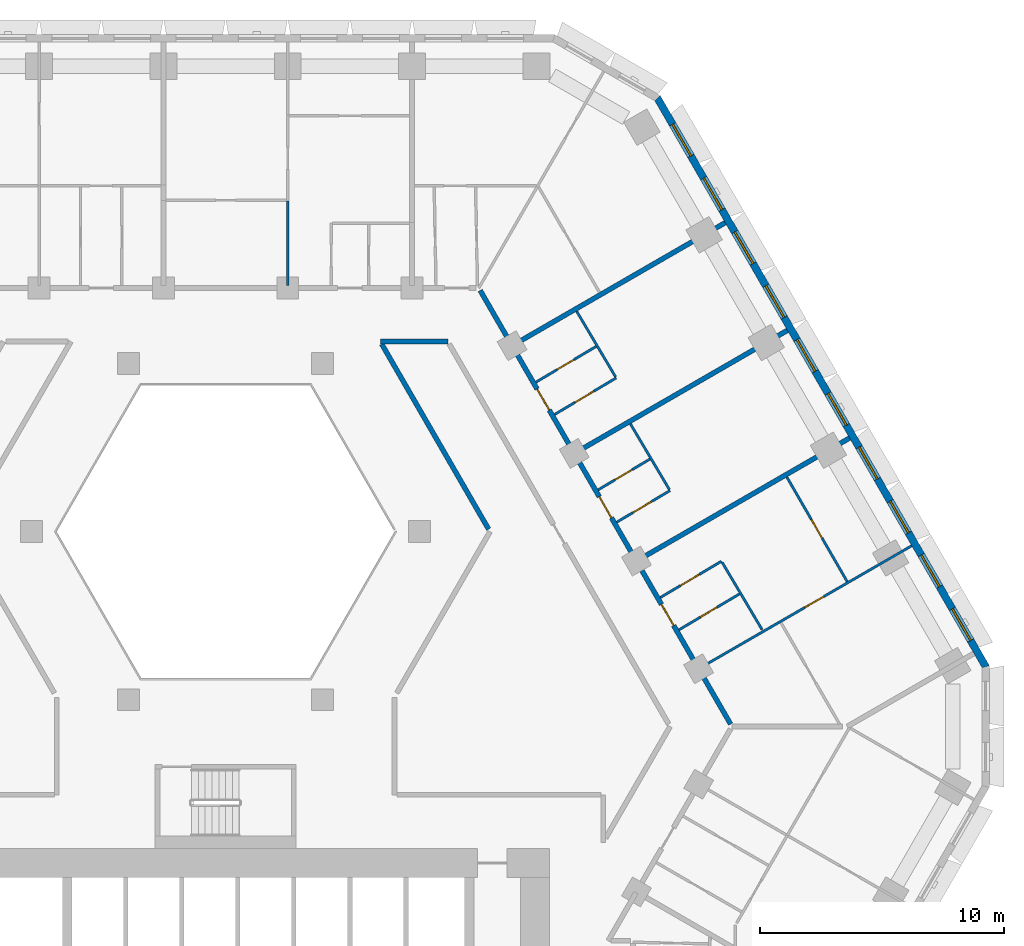
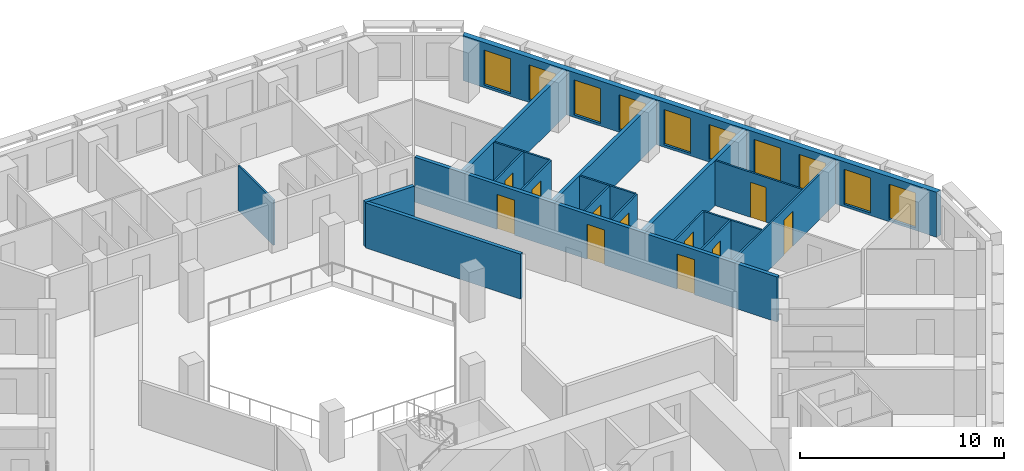
# One storey, part 11 of 21: 19 walls, 11 doors, 10 windows, 21 openings.
"""IFC4 building model written with IfcOpenShell, lengths in metres."""

from ifc_helpers import new_model, si_unit, direction, frame, frame_2d, origin, place, context, subcontext, project, spatial, polyline, rectangle, outline, extrude, material, layer, layer_set, type_object, element, fill, save


model = new_model("IFC4")

# Units and contexts
model_context = context("Model", 3, precision=1e-05, world=origin(), true_north=direction((0.0, 1.0)))
body_context = subcontext(model_context, "Body", "Model", "MODEL_VIEW")
ifc_project = project(units=[si_unit("LENGTHUNIT", "METRE"), si_unit("AREAUNIT", "SQUARE_METRE"), si_unit("VOLUMEUNIT", "CUBIC_METRE"), si_unit("PLANEANGLEUNIT", "RADIAN"), si_unit("MASSUNIT", "GRAM", prefix="KILO")], contexts=[model_context])

# Site, building, storey
site_placement = place(None, origin())
site = spatial("IfcSite", under=ifc_project, at=site_placement, CompositionType="ELEMENT")
building_placement = place(site_placement, origin())
building = spatial("IfcBuilding", under=site, at=building_placement, Name="Beryl Residences", CompositionType="ELEMENT")
storey_placement = place(building_placement, frame((0.0, 0.0, 53.39990234375)))
storey = spatial("IfcBuildingStorey", under=building, at=storey_placement, Name="L16", CompositionType="ELEMENT", Elevation=53.39990234375)

# Wall, openings, windows
ifc_material_1 = material(Name="Composite metal panel with mineral wool insulation")
ifc_layer_1 = layer(ifc_material_1, 0.300048828125)
ifc_layer_set_1 = layer_set([ifc_layer_1], Name="ES1 pale metal composite panel wall 300 mm")
wall_type_1 = type_object("IfcWallType", Name="ES1 pale metal composite panel wall 300 mm", PredefinedType="SOLIDWALL", material=ifc_layer_set_1)
wall_1_placement = place(storey_placement, frame((31.219970703125, 2.425048828125, 0.0), z_axis=(0.0, 0.0, 1.0), x_axis=(-0.500001938803, 0.866024284413, 0.0)))
wall_1 = element("IfcWall", 1, at=wall_1_placement, inside=storey, type_object=wall_type_1, Name="ES1 external wall L16 NE", PredefinedType="SOLIDWALL", context=body_context, shape_type="SweptSolid", body=[
    extrude(outline(polyline([(0.0, -0.14990234375), (27.02001953125, -0.14990234375), (26.939697265625, 0.14990234375), (0.080322265625, 0.14990234375), (0.0, -0.14990234375)])), origin(), (0.0, 0.0, 1.0), 2.7001953125),
])
opening_1_placement = place(wall_1_placement, frame((1.277099609375, 0.0, 0.14990234375)))
opening_1 = element("IfcOpeningElement", 2, at=opening_1_placement, cuts=wall_1, Name="Opening W1", PredefinedType="OPENING", context=body_context, shape_type="SweptSolid", body=[
    extrude(rectangle(XDim=1.5, YDim=2.10009765625, at=frame_2d((0.75, 1.050048828125))), frame((0.0, 0.159912109375, 0.0), z_axis=(0.0, -1.0, 0.0), x_axis=(1.0, 0.0, 0.0)), (0.0, 0.0, 1.0), 0.320068359375),
])
opening_2_placement = place(wall_1_placement, frame((3.8291015625, 0.0, 0.14990234375)))
opening_2 = element("IfcOpeningElement", 3, at=opening_2_placement, cuts=wall_1, Name="Opening W1", PredefinedType="OPENING", context=body_context, shape_type="SweptSolid", body=[
    extrude(rectangle(XDim=1.5, YDim=2.10009765625, at=frame_2d((0.75, 1.050048828125))), frame((0.0, 0.159912109375, 0.0), z_axis=(0.0, -1.0, 0.0), x_axis=(1.0, 0.0, 0.0)), (0.0, 0.0, 1.0), 0.320068359375),
])
opening_3_placement = place(wall_1_placement, frame((6.382080078125, 0.0, 0.14990234375)))
opening_3 = element("IfcOpeningElement", 4, at=opening_3_placement, cuts=wall_1, Name="Opening W1", PredefinedType="OPENING", context=body_context, shape_type="SweptSolid", body=[
    extrude(rectangle(XDim=1.5, YDim=2.10009765625, at=frame_2d((0.75, 1.050048828125))), frame((0.0, 0.159912109375, 0.0), z_axis=(0.0, -1.0, 0.0), x_axis=(1.0, 0.0, 0.0)), (0.0, 0.0, 1.0), 0.320068359375),
])
opening_4_placement = place(wall_1_placement, frame((8.93310546875, 0.0, 0.14990234375)))
opening_4 = element("IfcOpeningElement", 5, at=opening_4_placement, cuts=wall_1, Name="Opening W1", PredefinedType="OPENING", context=body_context, shape_type="SweptSolid", body=[
    extrude(rectangle(XDim=1.5, YDim=2.10009765625, at=frame_2d((0.75, 1.050048828125))), frame((0.0, 0.159912109375, 0.0), z_axis=(0.0, -1.0, 0.0), x_axis=(1.0, 0.0, 0.0)), (0.0, 0.0, 1.0), 0.320068359375),
])
opening_5_placement = place(wall_1_placement, frame((11.485107421875, 0.0, 0.14990234375)))
opening_5 = element("IfcOpeningElement", 6, at=opening_5_placement, cuts=wall_1, Name="Opening W1", PredefinedType="OPENING", context=body_context, shape_type="SweptSolid", body=[
    extrude(rectangle(XDim=1.5, YDim=2.10009765625, at=frame_2d((0.75, 1.050048828125))), frame((0.0, 0.159912109375, 0.0), z_axis=(0.0, -1.0, 0.0), x_axis=(1.0, 0.0, 0.0)), (0.0, 0.0, 1.0), 0.320068359375),
])
opening_6_placement = place(wall_1_placement, frame((14.037109375, 0.0, 0.14990234375)))
opening_6 = element("IfcOpeningElement", 7, at=opening_6_placement, cuts=wall_1, Name="Opening W1", PredefinedType="OPENING", context=body_context, shape_type="SweptSolid", body=[
    extrude(rectangle(XDim=1.5, YDim=2.10009765625, at=frame_2d((0.75, 1.050048828125))), frame((0.0, 0.159912109375, 0.0), z_axis=(0.0, -1.0, 0.0), x_axis=(1.0, 0.0, 0.0)), (0.0, 0.0, 1.0), 0.320068359375),
])
opening_7_placement = place(wall_1_placement, frame((16.589111328125, 0.0, 0.14990234375)))
opening_7 = element("IfcOpeningElement", 8, at=opening_7_placement, cuts=wall_1, Name="Opening W1", PredefinedType="OPENING", context=body_context, shape_type="SweptSolid", body=[
    extrude(rectangle(XDim=1.5, YDim=2.10009765625, at=frame_2d((0.75, 1.050048828125))), frame((0.0, 0.159912109375, 0.0), z_axis=(0.0, -1.0, 0.0), x_axis=(1.0, 0.0, 0.0)), (0.0, 0.0, 1.0), 0.320068359375),
])
opening_8_placement = place(wall_1_placement, frame((19.14111328125, 0.0, 0.14990234375)))
opening_8 = element("IfcOpeningElement", 9, at=opening_8_placement, cuts=wall_1, Name="Opening W1", PredefinedType="OPENING", context=body_context, shape_type="SweptSolid", body=[
    extrude(rectangle(XDim=1.5, YDim=2.10009765625, at=frame_2d((0.75, 1.050048828125))), frame((0.0, 0.159912109375, 0.0), z_axis=(0.0, -1.0, 0.0), x_axis=(1.0, 0.0, 0.0)), (0.0, 0.0, 1.0), 0.320068359375),
])
opening_9_placement = place(wall_1_placement, frame((21.693115234375, 0.0, 0.14990234375)))
opening_9 = element("IfcOpeningElement", 10, at=opening_9_placement, cuts=wall_1, Name="Opening W1", PredefinedType="OPENING", context=body_context, shape_type="SweptSolid", body=[
    extrude(rectangle(XDim=1.5, YDim=2.10009765625, at=frame_2d((0.75, 1.050048828125))), frame((0.0, 0.159912109375, 0.0), z_axis=(0.0, -1.0, 0.0), x_axis=(1.0, 0.0, 0.0)), (0.0, 0.0, 1.0), 0.320068359375),
])
opening_10_placement = place(wall_1_placement, frame((24.243896484375, 0.0, 0.14990234375)))
opening_10 = element("IfcOpeningElement", 11, at=opening_10_placement, cuts=wall_1, Name="Opening W1", PredefinedType="OPENING", context=body_context, shape_type="SweptSolid", body=[
    extrude(rectangle(XDim=1.5, YDim=2.10009765625, at=frame_2d((0.75, 1.050048828125))), frame((0.0, 0.159912109375, 0.0), z_axis=(0.0, -1.0, 0.0), x_axis=(1.0, 0.0, 0.0)), (0.0, 0.0, 1.0), 0.320068359375),
])
ifc_material_2 = material(Name="Aluminium and clear glass", Category="aluminium")
window_type = type_object("IfcWindowType", Name="W1 cell window 1500 x 2100 mm", PartitioningType="SINGLE_PANEL", PredefinedType="WINDOW", material=ifc_material_2)
window_1_placement = place(opening_1_placement, origin())
window_1 = element("IfcWindow", 12, at=window_1_placement, inside=storey, type_object=window_type, Name="W1 window L16 NE 1", OverallHeight=2.10009765625, OverallWidth=1.5, PartitioningType="SINGLE_PANEL", PredefinedType="WINDOW", context=body_context, shape_type="SweptSolid", body=[
    extrude(rectangle(XDim=1.5, YDim=2.10009765625, at=frame_2d((0.75, 1.050048828125))), frame((0.0, 0.030029296875, 0.0), z_axis=(0.0, -1.0, 0.0), x_axis=(1.0, 0.0, 0.0)), (0.0, 0.0, 1.0), 0.06005859375),
])
fill(opening_1, window_1)
window_2_placement = place(opening_2_placement, origin())
window_2 = element("IfcWindow", 13, at=window_2_placement, inside=storey, type_object=window_type, Name="W1 window L16 NE 2", OverallHeight=2.10009765625, OverallWidth=1.5, PartitioningType="SINGLE_PANEL", PredefinedType="WINDOW", context=body_context, shape_type="SweptSolid", body=[
    extrude(rectangle(XDim=1.5, YDim=2.10009765625, at=frame_2d((0.75, 1.050048828125))), frame((0.0, 0.030029296875, 0.0), z_axis=(0.0, -1.0, 0.0), x_axis=(1.0, 0.0, 0.0)), (0.0, 0.0, 1.0), 0.06005859375),
])
fill(opening_2, window_2)
window_3_placement = place(opening_3_placement, origin())
window_3 = element("IfcWindow", 14, at=window_3_placement, inside=storey, type_object=window_type, Name="W1 window L16 NE 3", OverallHeight=2.10009765625, OverallWidth=1.5, PartitioningType="SINGLE_PANEL", PredefinedType="WINDOW", context=body_context, shape_type="SweptSolid", body=[
    extrude(rectangle(XDim=1.5, YDim=2.10009765625, at=frame_2d((0.75, 1.050048828125))), frame((0.0, 0.030029296875, 0.0), z_axis=(0.0, -1.0, 0.0), x_axis=(1.0, 0.0, 0.0)), (0.0, 0.0, 1.0), 0.06005859375),
])
fill(opening_3, window_3)
window_4_placement = place(opening_4_placement, origin())
window_4 = element("IfcWindow", 15, at=window_4_placement, inside=storey, type_object=window_type, Name="W1 window L16 NE 4", OverallHeight=2.10009765625, OverallWidth=1.5, PartitioningType="SINGLE_PANEL", PredefinedType="WINDOW", context=body_context, shape_type="SweptSolid", body=[
    extrude(rectangle(XDim=1.5, YDim=2.10009765625, at=frame_2d((0.75, 1.050048828125))), frame((0.0, 0.030029296875, 0.0), z_axis=(0.0, -1.0, 0.0), x_axis=(1.0, 0.0, 0.0)), (0.0, 0.0, 1.0), 0.06005859375),
])
fill(opening_4, window_4)
window_5_placement = place(opening_5_placement, origin())
window_5 = element("IfcWindow", 16, at=window_5_placement, inside=storey, type_object=window_type, Name="W1 window L16 NE 5", OverallHeight=2.10009765625, OverallWidth=1.5, PartitioningType="SINGLE_PANEL", PredefinedType="WINDOW", context=body_context, shape_type="SweptSolid", body=[
    extrude(rectangle(XDim=1.5, YDim=2.10009765625, at=frame_2d((0.75, 1.050048828125))), frame((0.0, 0.030029296875, 0.0), z_axis=(0.0, -1.0, 0.0), x_axis=(1.0, 0.0, 0.0)), (0.0, 0.0, 1.0), 0.06005859375),
])
fill(opening_5, window_5)
window_6_placement = place(opening_6_placement, origin())
window_6 = element("IfcWindow", 17, at=window_6_placement, inside=storey, type_object=window_type, Name="W1 window L16 NE 6", OverallHeight=2.10009765625, OverallWidth=1.5, PartitioningType="SINGLE_PANEL", PredefinedType="WINDOW", context=body_context, shape_type="SweptSolid", body=[
    extrude(rectangle(XDim=1.5, YDim=2.10009765625, at=frame_2d((0.75, 1.050048828125))), frame((0.0, 0.030029296875, 0.0), z_axis=(0.0, -1.0, 0.0), x_axis=(1.0, 0.0, 0.0)), (0.0, 0.0, 1.0), 0.06005859375),
])
fill(opening_6, window_6)
window_7_placement = place(opening_7_placement, origin())
window_7 = element("IfcWindow", 18, at=window_7_placement, inside=storey, type_object=window_type, Name="W1 window L16 NE 7", OverallHeight=2.10009765625, OverallWidth=1.5, PartitioningType="SINGLE_PANEL", PredefinedType="WINDOW", context=body_context, shape_type="SweptSolid", body=[
    extrude(rectangle(XDim=1.5, YDim=2.10009765625, at=frame_2d((0.75, 1.050048828125))), frame((0.0, 0.030029296875, 0.0), z_axis=(0.0, -1.0, 0.0), x_axis=(1.0, 0.0, 0.0)), (0.0, 0.0, 1.0), 0.06005859375),
])
fill(opening_7, window_7)
window_8_placement = place(opening_8_placement, origin())
window_8 = element("IfcWindow", 19, at=window_8_placement, inside=storey, type_object=window_type, Name="W1 window L16 NE 8", OverallHeight=2.10009765625, OverallWidth=1.5, PartitioningType="SINGLE_PANEL", PredefinedType="WINDOW", context=body_context, shape_type="SweptSolid", body=[
    extrude(rectangle(XDim=1.5, YDim=2.10009765625, at=frame_2d((0.75, 1.050048828125))), frame((0.0, 0.030029296875, 0.0), z_axis=(0.0, -1.0, 0.0), x_axis=(1.0, 0.0, 0.0)), (0.0, 0.0, 1.0), 0.06005859375),
])
fill(opening_8, window_8)
window_9_placement = place(opening_9_placement, origin())
window_9 = element("IfcWindow", 20, at=window_9_placement, inside=storey, type_object=window_type, Name="W1 window L16 NE 9", OverallHeight=2.10009765625, OverallWidth=1.5, PartitioningType="SINGLE_PANEL", PredefinedType="WINDOW", context=body_context, shape_type="SweptSolid", body=[
    extrude(rectangle(XDim=1.5, YDim=2.10009765625, at=frame_2d((0.75, 1.050048828125))), frame((0.0, 0.030029296875, 0.0), z_axis=(0.0, -1.0, 0.0), x_axis=(1.0, 0.0, 0.0)), (0.0, 0.0, 1.0), 0.06005859375),
])
fill(opening_9, window_9)
window_10_placement = place(opening_10_placement, origin())
window_10 = element("IfcWindow", 21, at=window_10_placement, inside=storey, type_object=window_type, Name="W1 window L16 NE 10", OverallHeight=2.10009765625, OverallWidth=1.5, PartitioningType="SINGLE_PANEL", PredefinedType="WINDOW", context=body_context, shape_type="SweptSolid", body=[
    extrude(rectangle(XDim=1.5, YDim=2.10009765625, at=frame_2d((0.75, 1.050048828125))), frame((0.0, 0.030029296875, 0.0), z_axis=(0.0, -1.0, 0.0), x_axis=(1.0, 0.0, 0.0)), (0.0, 0.0, 1.0), 0.06005859375),
])
fill(opening_10, window_10)

# Walls
ifc_material_3 = material(Name="Gypsum board partition on steel studs", Category="steel")
ifc_layer_2 = layer(ifc_material_3, 0.10009765625)
ifc_layer_set_2 = layer_set([ifc_layer_2], Name="PT1 partition 100 mm gypsum board on steel studs")
wall_type_2 = type_object("IfcWallType", Name="PT1 partition 100 mm gypsum board on steel studs", PredefinedType="PARTITIONING", material=ifc_layer_set_2)
wall_2_placement = place(storey_placement, frame((16.614990234375, 12.425048828125, 0.0), z_axis=(0.0, 0.0, 1.0), x_axis=(0.510241930604, -0.860030913546, 0.0)))
element("IfcWall", 22, at=wall_2_placement, inside=storey, type_object=wall_type_2, Name="Wall PT1 L16 001", PredefinedType="PARTITIONING", context=body_context, shape_type="SweptSolid", body=[
    extrude(rectangle(XDim=3.135986328125, YDim=0.10009765625, at=frame_2d((1.56787109375, 0.0))), origin(), (0.0, 0.0, 1.0), 2.7001953125),
])
wall_3_placement = place(storey_placement, frame((20.381103515625, 6.740966796875, 0.0), z_axis=(0.0, 0.0, 1.0), x_axis=(0.510224755389, -0.860041103081, 0.0)))
element("IfcWall", 23, at=wall_3_placement, inside=storey, type_object=wall_type_2, Name="Wall PT1 L16 002", PredefinedType="PARTITIONING", context=body_context, shape_type="SweptSolid", body=[
    extrude(rectangle(XDim=3.216064453125, YDim=0.10009765625, at=frame_2d((1.60791015625, 0.0))), origin(), (0.0, 0.0, 1.0), 2.7001953125),
])
wall_4_placement = place(storey_placement, frame((14.408935546875, 17.044921875, 0.0), z_axis=(0.0, 0.0, 1.0), x_axis=(0.510362209222, -0.859959542884, 0.0)))
element("IfcWall", 24, at=wall_4_placement, inside=storey, type_object=wall_type_2, Name="Wall PT1 L16 003", PredefinedType="PARTITIONING", context=body_context, shape_type="SweptSolid", body=[
    extrude(rectangle(XDim=3.13134765625, YDim=0.10009765625, at=frame_2d((1.565673828125, 0.0))), origin(), (0.0, 0.0, 1.0), 2.7001953125),
])

# Wall, opening, door
wall_5_placement = place(storey_placement, frame((23.037109375, 10.239990234375, 0.0), z_axis=(0.0, 0.0, 1.0), x_axis=(0.499907296314, -0.866078919667, 0.0)))
wall_5 = element("IfcWall", 25, at=wall_5_placement, inside=storey, type_object=wall_type_2, Name="Wall PT1 L16 007", PredefinedType="PARTITIONING", context=body_context, shape_type="SweptSolid", body=[
    extrude(rectangle(XDim=4.95458984375, YDim=0.10009765625, at=frame_2d((2.477294921875, 0.0))), origin(), (0.0, 0.0, 1.0), 2.7001953125),
])
opening_11_placement = place(wall_5_placement, frame((2.001953125, 0.0, 0.0)))
opening_11 = element("IfcOpeningElement", 26, at=opening_11_placement, cuts=wall_5, Name="Opening D0254", PredefinedType="OPENING", context=body_context, shape_type="SweptSolid", body=[
    extrude(rectangle(XDim=0.89990234375, YDim=2.10009765625, at=frame_2d((0.449951171875, 1.050048828125))), frame((0.0, 0.06005859375, 0.0), z_axis=(0.0, -1.0, 0.0), x_axis=(1.0, 0.0, 0.0)), (0.0, 0.0, 1.0), 0.1201171875),
])
ifc_material_4 = material(Name="Timber door leaf", Category="wood")
door_type_1 = type_object("IfcDoorType", Name="D2 room door 900 x 2100 mm", OperationType="SINGLE_SWING_LEFT", PredefinedType="DOOR", material=ifc_material_4)
door_1_placement = place(opening_11_placement, origin())
door_1 = element("IfcDoor", 27, at=door_1_placement, inside=storey, type_object=door_type_1, Name="Door D0254 L16 001", OperationType="SINGLE_SWING_RIGHT", OverallHeight=2.10009765625, OverallWidth=0.89990234375, PredefinedType="DOOR", context=body_context, shape_type="SweptSolid", body=[
    extrude(rectangle(XDim=0.89990234375, YDim=2.10009765625, at=frame_2d((0.449951171875, 1.050048828125))), frame((0.0, 0.02490234375, 0.0), z_axis=(0.0, -1.0, 0.0), x_axis=(1.0, 0.0, 0.0)), (0.0, 0.0, 1.0), 0.050048828125),
])
fill(opening_11, door_1)

# Wall
wall_6_placement = place(storey_placement, frame((2.551025390625, 21.570068359375, 0.0), z_axis=(0.0, 0.0, 1.0), x_axis=(0.0, -1.0, 0.0)))
element("IfcWall", 28, at=wall_6_placement, inside=storey, type_object=wall_type_2, Name="Wall PT1 L16 014", PredefinedType="PARTITIONING", context=body_context, shape_type="SweptSolid", body=[
    extrude(rectangle(XDim=3.469970703125, YDim=0.10009765625, at=frame_2d((1.73486328125, 0.0))), origin(), (0.0, 0.0, 1.0), 2.7001953125),
])

# Wall, opening, door
wall_7_placement = place(storey_placement, frame((19.5029296875, 2.4208984375, 0.0), z_axis=(0.0, 0.0, 1.0), x_axis=(0.866065245018, 0.499930986609, 0.0)))
wall_7 = element("IfcWall", 29, at=wall_7_placement, inside=storey, type_object=wall_type_2, Name="Wall PT1 L16 065", PredefinedType="PARTITIONING", context=body_context, shape_type="SweptSolid", body=[
    extrude(rectangle(XDim=9.99951171875, YDim=0.10009765625, at=frame_2d((4.999755859375, 0.0))), origin(), (0.0, 0.0, 1.0), 2.7001953125),
])
opening_12_placement = place(wall_7_placement, frame((4.931884765625, 0.0, 0.0)))
opening_12 = element("IfcOpeningElement", 30, at=opening_12_placement, cuts=wall_7, Name="Opening D0255", PredefinedType="OPENING", context=body_context, shape_type="SweptSolid", body=[
    extrude(rectangle(XDim=0.89990234375, YDim=2.10009765625, at=frame_2d((0.449951171875, 1.050048828125))), frame((0.0, 0.06005859375, 0.0), z_axis=(0.0, -1.0, 0.0), x_axis=(1.0, 0.0, 0.0)), (0.0, 0.0, 1.0), 0.1201171875),
])
door_2_placement = place(opening_12_placement, origin())
door_2 = element("IfcDoor", 31, at=door_2_placement, inside=storey, type_object=door_type_1, Name="Door D0255 L16 001", OperationType="SINGLE_SWING_LEFT", OverallHeight=2.10009765625, OverallWidth=0.89990234375, PredefinedType="DOOR", context=body_context, shape_type="SweptSolid", body=[
    extrude(rectangle(XDim=0.89990234375, YDim=2.10009765625, at=frame_2d((0.449951171875, 1.050048828125))), frame((0.0, 0.02490234375, 0.0), z_axis=(0.0, -1.0, 0.0), x_axis=(1.0, 0.0, 0.0)), (0.0, 0.0, 1.0), 0.050048828125),
])
fill(opening_12, door_2)

wall_8_placement = place(storey_placement, frame((17.843017578125, 5.294921875, 0.0), z_axis=(0.0, 0.0, 1.0), x_axis=(0.860078277555, 0.510162088436, 0.0)))
wall_8 = element("IfcWall", 32, at=wall_8_placement, inside=storey, type_object=wall_type_2, Name="Wall PT1 L16 069", PredefinedType="PARTITIONING", context=body_context, shape_type="SweptSolid", body=[
    extrude(rectangle(XDim=2.920654296875, YDim=0.10009765625, at=frame_2d((1.46044921875, 0.0))), origin(), (0.0, 0.0, 1.0), 2.7001953125),
])
opening_13_placement = place(wall_8_placement, frame((0.9599609375, 0.0, 0.0)))
opening_13 = element("IfcOpeningElement", 33, at=opening_13_placement, cuts=wall_8, Name="Opening D0252", PredefinedType="OPENING", context=body_context, shape_type="SweptSolid", body=[
    extrude(rectangle(XDim=0.89990234375, YDim=2.10009765625, at=frame_2d((0.449951171875, 1.050048828125))), frame((0.0, 0.06005859375, 0.0), z_axis=(0.0, -1.0, 0.0), x_axis=(1.0, 0.0, 0.0)), (0.0, 0.0, 1.0), 0.1201171875),
])
door_3_placement = place(opening_13_placement, origin())
door_3 = element("IfcDoor", 34, at=door_3_placement, inside=storey, type_object=door_type_1, Name="Door D0252 L16 001", OperationType="SINGLE_SWING_RIGHT", OverallHeight=2.10009765625, OverallWidth=0.89990234375, PredefinedType="DOOR", context=body_context, shape_type="SweptSolid", body=[
    extrude(rectangle(XDim=0.89990234375, YDim=2.10009765625, at=frame_2d((0.449951171875, 1.050048828125))), frame((0.0, 0.02490234375, 0.0), z_axis=(0.0, -1.0, 0.0), x_axis=(1.0, 0.0, 0.0)), (0.0, 0.0, 1.0), 0.050048828125),
])
fill(opening_13, door_3)

wall_9_placement = place(storey_placement, frame((18.60888671875, 3.968994140625, 0.0), z_axis=(0.0, 0.0, 1.0), x_axis=(0.860254465905, 0.50986493691, 0.0)))
wall_9 = element("IfcWall", 35, at=wall_9_placement, inside=storey, type_object=wall_type_2, Name="Wall PT1 L16 070", PredefinedType="PARTITIONING", context=body_context, shape_type="SweptSolid", body=[
    extrude(rectangle(XDim=2.888916015625, YDim=0.10009765625, at=frame_2d((1.4443359375, 0.0))), origin(), (0.0, 0.0, 1.0), 2.7001953125),
])
opening_14_placement = place(wall_9_placement, frame((1.01904296875, 0.0, 0.0)))
opening_14 = element("IfcOpeningElement", 36, at=opening_14_placement, cuts=wall_9, Name="Opening D0253", PredefinedType="OPENING", context=body_context, shape_type="SweptSolid", body=[
    extrude(rectangle(XDim=0.800048828125, YDim=2.10009765625, at=frame_2d((0.39990234375, 1.050048828125))), frame((0.0, 0.06005859375, 0.0), z_axis=(0.0, -1.0, 0.0), x_axis=(1.0, 0.0, 0.0)), (0.0, 0.0, 1.0), 0.1201171875),
])
ifc_material_5 = material(Name="Timber door leaf", Category="wood")
door_type_2 = type_object("IfcDoorType", Name="D3 bathroom door 800 x 2100 mm", OperationType="SINGLE_SWING_LEFT", PredefinedType="DOOR", material=ifc_material_5)
door_4_placement = place(opening_14_placement, origin())
door_4 = element("IfcDoor", 37, at=door_4_placement, inside=storey, type_object=door_type_2, Name="Door D0253 L16 001", OperationType="SINGLE_SWING_LEFT", OverallHeight=2.10009765625, OverallWidth=0.800048828125, PredefinedType="DOOR", context=body_context, shape_type="SweptSolid", body=[
    extrude(rectangle(XDim=0.800048828125, YDim=2.10009765625, at=frame_2d((0.39990234375, 1.050048828125))), frame((0.0, 0.02490234375, 0.0), z_axis=(0.0, -1.0, 0.0), x_axis=(1.0, 0.0, 0.0)), (0.0, 0.0, 1.0), 0.050048828125),
])
fill(opening_14, door_4)

wall_10_placement = place(storey_placement, frame((16.056884765625, 8.388916015625, 0.0), z_axis=(0.0, 0.0, 1.0), x_axis=(0.860036770423, 0.510232058499, 0.0)))
wall_10 = element("IfcWall", 38, at=wall_10_placement, inside=storey, type_object=wall_type_2, Name="Wall PT1 L16 071", PredefinedType="PARTITIONING", context=body_context, shape_type="SweptSolid", body=[
    extrude(rectangle(XDim=2.538330078125, YDim=0.10009765625, at=frame_2d((1.26904296875, 0.0))), origin(), (0.0, 0.0, 1.0), 2.7001953125),
])
opening_15_placement = place(wall_10_placement, frame((0.76904296875, 0.0, 0.0)))
opening_15 = element("IfcOpeningElement", 39, at=opening_15_placement, cuts=wall_10, Name="Opening D0258", PredefinedType="OPENING", context=body_context, shape_type="SweptSolid", body=[
    extrude(rectangle(XDim=0.89990234375, YDim=2.10009765625, at=frame_2d((0.449951171875, 1.050048828125))), frame((0.0, 0.06005859375, 0.0), z_axis=(0.0, -1.0, 0.0), x_axis=(1.0, 0.0, 0.0)), (0.0, 0.0, 1.0), 0.1201171875),
])
door_5_placement = place(opening_15_placement, origin())
door_5 = element("IfcDoor", 40, at=door_5_placement, inside=storey, type_object=door_type_1, Name="Door D0258 L16 001", OperationType="SINGLE_SWING_RIGHT", OverallHeight=2.10009765625, OverallWidth=0.89990234375, PredefinedType="DOOR", context=body_context, shape_type="SweptSolid", body=[
    extrude(rectangle(XDim=0.89990234375, YDim=2.10009765625, at=frame_2d((0.449951171875, 1.050048828125))), frame((0.0, 0.02490234375, 0.0), z_axis=(0.0, -1.0, 0.0), x_axis=(1.0, 0.0, 0.0)), (0.0, 0.0, 1.0), 0.050048828125),
])
fill(opening_15, door_5)

wall_11_placement = place(storey_placement, frame((13.5048828125, 12.80908203125, 0.0), z_axis=(0.0, 0.0, 1.0), x_axis=(0.860070102739, 0.510175870043, 0.0)))
wall_11 = element("IfcWall", 41, at=wall_11_placement, inside=storey, type_object=wall_type_2, Name="Wall PT1 L16 072", PredefinedType="PARTITIONING", context=body_context, shape_type="SweptSolid", body=[
    extrude(rectangle(XDim=2.938232421875, YDim=0.10009765625, at=frame_2d((1.46923828125, 0.0))), origin(), (0.0, 0.0, 1.0), 2.7001953125),
])
opening_16_placement = place(wall_11_placement, frame((0.968994140625, 0.0, 0.0)))
opening_16 = element("IfcOpeningElement", 42, at=opening_16_placement, cuts=wall_11, Name="Opening D0261", PredefinedType="OPENING", context=body_context, shape_type="SweptSolid", body=[
    extrude(rectangle(XDim=0.89990234375, YDim=2.10009765625, at=frame_2d((0.449951171875, 1.050048828125))), frame((0.0, 0.06005859375, 0.0), z_axis=(0.0, -1.0, 0.0), x_axis=(1.0, 0.0, 0.0)), (0.0, 0.0, 1.0), 0.1201171875),
])
door_6_placement = place(opening_16_placement, origin())
door_6 = element("IfcDoor", 43, at=door_6_placement, inside=storey, type_object=door_type_1, Name="Door D0261 L16 001", OperationType="SINGLE_SWING_LEFT", OverallHeight=2.10009765625, OverallWidth=0.89990234375, PredefinedType="DOOR", context=body_context, shape_type="SweptSolid", body=[
    extrude(rectangle(XDim=0.89990234375, YDim=2.10009765625, at=frame_2d((0.449951171875, 1.050048828125))), frame((0.0, 0.02490234375, 0.0), z_axis=(0.0, -1.0, 0.0), x_axis=(1.0, 0.0, 0.0)), (0.0, 0.0, 1.0), 0.050048828125),
])
fill(opening_16, door_6)

wall_12_placement = place(storey_placement, frame((12.739013671875, 14.135009765625, 0.0), z_axis=(0.0, 0.0, 1.0), x_axis=(0.860077414703, 0.510163543109, 0.0)))
wall_12 = element("IfcWall", 44, at=wall_12_placement, inside=storey, type_object=wall_type_2, Name="Wall PT1 L16 073", PredefinedType="PARTITIONING", context=body_context, shape_type="SweptSolid", body=[
    extrude(rectangle(XDim=2.871826171875, YDim=0.10009765625, at=frame_2d((1.43603515625, 0.0))), origin(), (0.0, 0.0, 1.0), 2.7001953125),
])
opening_17_placement = place(wall_12_placement, frame((1.010009765625, 0.0, 0.0)))
opening_17 = element("IfcOpeningElement", 45, at=opening_17_placement, cuts=wall_12, Name="Opening D0262", PredefinedType="OPENING", context=body_context, shape_type="SweptSolid", body=[
    extrude(rectangle(XDim=0.800048828125, YDim=2.10009765625, at=frame_2d((0.39990234375, 1.050048828125))), frame((0.0, 0.06005859375, 0.0), z_axis=(0.0, -1.0, 0.0), x_axis=(1.0, 0.0, 0.0)), (0.0, 0.0, 1.0), 0.1201171875),
])
door_7_placement = place(opening_17_placement, origin())
door_7 = element("IfcDoor", 46, at=door_7_placement, inside=storey, type_object=door_type_2, Name="Door D0262 L16 001", OperationType="SINGLE_SWING_RIGHT", OverallHeight=2.10009765625, OverallWidth=0.800048828125, PredefinedType="DOOR", context=body_context, shape_type="SweptSolid", body=[
    extrude(rectangle(XDim=0.800048828125, YDim=2.10009765625, at=frame_2d((0.39990234375, 1.050048828125))), frame((0.0, 0.02490234375, 0.0), z_axis=(0.0, -1.0, 0.0), x_axis=(1.0, 0.0, 0.0)), (0.0, 0.0, 1.0), 0.050048828125),
])
fill(opening_17, door_7)

wall_13_placement = place(storey_placement, frame((15.291015625, 9.715087890625, 0.0), z_axis=(0.0, 0.0, 1.0), x_axis=(0.860087708271, 0.510146188932, 0.0)))
wall_13 = element("IfcWall", 47, at=wall_13_placement, inside=storey, type_object=wall_type_2, Name="Wall PT1 L16 074", PredefinedType="PARTITIONING", context=body_context, shape_type="SweptSolid", body=[
    extrude(rectangle(XDim=2.471923828125, YDim=0.10009765625, at=frame_2d((1.23583984375, 0.0))), origin(), (0.0, 0.0, 1.0), 2.7001953125),
])
opening_18_placement = place(wall_13_placement, frame((0.81005859375, 0.0, 0.0)))
opening_18 = element("IfcOpeningElement", 48, at=opening_18_placement, cuts=wall_13, Name="Opening D0259", PredefinedType="OPENING", context=body_context, shape_type="SweptSolid", body=[
    extrude(rectangle(XDim=0.800048828125, YDim=2.10009765625, at=frame_2d((0.39990234375, 1.050048828125))), frame((0.0, 0.06005859375, 0.0), z_axis=(0.0, -1.0, 0.0), x_axis=(1.0, 0.0, 0.0)), (0.0, 0.0, 1.0), 0.1201171875),
])
door_8_placement = place(opening_18_placement, origin())
door_8 = element("IfcDoor", 49, at=door_8_placement, inside=storey, type_object=door_type_2, Name="Door D0259 L16 001", OperationType="SINGLE_SWING_LEFT", OverallHeight=2.10009765625, OverallWidth=0.800048828125, PredefinedType="DOOR", context=body_context, shape_type="SweptSolid", body=[
    extrude(rectangle(XDim=0.800048828125, YDim=2.10009765625, at=frame_2d((0.39990234375, 1.050048828125))), frame((0.0, 0.02490234375, 0.0), z_axis=(0.0, -1.0, 0.0), x_axis=(1.0, 0.0, 0.0)), (0.0, 0.0, 1.0), 0.050048828125),
])
fill(opening_18, door_8)

# Walls
ifc_material_6 = material(Name="Acoustic double stud gypsum board wall")
ifc_layer_3 = layer(ifc_material_6, 0.199951171875)
ifc_layer_set_3 = layer_set([ifc_layer_3], Name="PT3 party wall 200 mm acoustic double stud")
wall_type_3 = type_object("IfcWallType", Name="PT3 party wall 200 mm acoustic double stud", PredefinedType="PARTITIONING", material=ifc_layer_set_3)
for number, where, z_axis, x_axis, name in (
    (50, (16.949951171875, 6.841064453125, 0.0), (0.0, 0.0, 1.0), (0.866022959057, 0.500004234368, 0.0), "Wall PT3 L16 026"),
    (51, (11.846923828125, 15.680908203125, 0.0), (0.0, 0.0, 1.0), (0.866022959057, 0.500004234368, 0.0), "Wall PT3 L16 027"),
    (52, (14.39892578125, 11.260986328125, 0.0), (0.0, 0.0, 1.0), (0.866022959057, 0.500004234368, 0.0), "Wall PT3 L16 029"),
):
    element("IfcWall", number, at=place(storey_placement, frame(where, z_axis=z_axis, x_axis=x_axis)), inside=storey, type_object=wall_type_3, Name=name, PredefinedType="PARTITIONING", context=body_context, shape_type="SweptSolid", body=[
        extrude(rectangle(XDim=10.0, YDim=0.199951171875, at=frame_2d((5.0, 0.0))), origin(), (0.0, 0.0, 1.0), 2.7001953125),
    ])
ifc_material_7 = material(Name="Double stud gypsum board wall")
ifc_layer_4 = layer(ifc_material_7, 0.199951171875)
ifc_layer_set_4 = layer_set([ifc_layer_4], Name="PT4 corridor wall 200 mm double stud")
wall_type_4 = type_object("IfcWallType", Name="PT4 corridor wall 200 mm double stud", PredefinedType="PARTITIONING", material=ifc_layer_set_4)
wall_14_placement = place(storey_placement, frame((6.408935546875, 15.699951171875, 0.0), z_axis=(0.0, 0.0, 1.0), x_axis=(0.499930377127, -0.866065596838, 0.0)))
element("IfcWall", 53, at=wall_14_placement, inside=storey, type_object=wall_type_4, Name="Wall PT4 L16 004", PredefinedType="PARTITIONING", context=body_context, shape_type="SweptSolid", body=[
    extrude(rectangle(XDim=8.775146484375, YDim=0.199951171875, at=frame_2d((4.3876953125, 0.0))), origin(), (0.0, 0.0, 1.0), 2.7001953125),
])

# Wall, openings, doors
wall_15_placement = place(storey_placement, frame((10.449951171875, 17.89990234375, 0.0), z_axis=(0.0, 0.0, 1.0), x_axis=(0.500034352617, -0.866005569383, 0.0)))
wall_15 = element("IfcWall", 54, at=wall_15_placement, inside=storey, type_object=wall_type_4, Name="Wall PT4 L16 006", PredefinedType="PARTITIONING", context=body_context, shape_type="SweptSolid", body=[
    extrude(rectangle(XDim=20.552734375, YDim=0.199951171875, at=frame_2d((10.2763671875, 0.0))), origin(), (0.0, 0.0, 1.0), 2.7001953125),
])
opening_19_placement = place(wall_15_placement, frame((14.87890625, 0.0, 0.0)))
opening_19 = element("IfcOpeningElement", 55, at=opening_19_placement, cuts=wall_15, Name="Opening D0251", PredefinedType="OPENING", context=body_context, shape_type="SweptSolid", body=[
    extrude(rectangle(XDim=1.0, YDim=2.10009765625, at=frame_2d((0.5, 1.050048828125))), frame((0.0, 0.10986328125, 0.0), z_axis=(0.0, -1.0, 0.0), x_axis=(1.0, 0.0, 0.0)), (0.0, 0.0, 1.0), 0.219970703125),
])
opening_20_placement = place(wall_15_placement, frame((9.77490234375, 0.0, 0.0)))
opening_20 = element("IfcOpeningElement", 56, at=opening_20_placement, cuts=wall_15, Name="Opening D0257", PredefinedType="OPENING", context=body_context, shape_type="SweptSolid", body=[
    extrude(rectangle(XDim=1.0, YDim=2.10009765625, at=frame_2d((0.5, 1.050048828125))), frame((0.0, 0.10986328125, 0.0), z_axis=(0.0, -1.0, 0.0), x_axis=(1.0, 0.0, 0.0)), (0.0, 0.0, 1.0), 0.219970703125),
])
opening_21_placement = place(wall_15_placement, frame((4.6708984375, 0.0, 0.0)))
opening_21 = element("IfcOpeningElement", 57, at=opening_21_placement, cuts=wall_15, Name="Opening D0260", PredefinedType="OPENING", context=body_context, shape_type="SweptSolid", body=[
    extrude(rectangle(XDim=1.0, YDim=2.10009765625, at=frame_2d((0.5, 1.050048828125))), frame((0.0, 0.10986328125, 0.0), z_axis=(0.0, -1.0, 0.0), x_axis=(1.0, 0.0, 0.0)), (0.0, 0.0, 1.0), 0.219970703125),
])
ifc_material_8 = material(Name="Timber door leaf", Category="wood")
door_type_3 = type_object("IfcDoorType", Name="D1 flat entrance door 1000 x 2100 mm", OperationType="SINGLE_SWING_LEFT", PredefinedType="DOOR", material=ifc_material_8)
door_9_placement = place(opening_19_placement, origin())
door_9 = element("IfcDoor", 58, at=door_9_placement, inside=storey, type_object=door_type_3, Name="Door D0251 L16 001", OperationType="SINGLE_SWING_LEFT", OverallHeight=2.10009765625, OverallWidth=1.0, PredefinedType="DOOR", context=body_context, shape_type="SweptSolid", body=[
    extrude(rectangle(XDim=1.0, YDim=2.10009765625, at=frame_2d((0.5, 1.050048828125))), frame((0.0, 0.02490234375, 0.0), z_axis=(0.0, -1.0, 0.0), x_axis=(1.0, 0.0, 0.0)), (0.0, 0.0, 1.0), 0.050048828125),
])
fill(opening_19, door_9)
door_10_placement = place(opening_20_placement, origin())
door_10 = element("IfcDoor", 59, at=door_10_placement, inside=storey, type_object=door_type_3, Name="Door D0257 L16 001", OperationType="SINGLE_SWING_LEFT", OverallHeight=2.10009765625, OverallWidth=1.0, PredefinedType="DOOR", context=body_context, shape_type="SweptSolid", body=[
    extrude(rectangle(XDim=1.0, YDim=2.10009765625, at=frame_2d((0.5, 1.050048828125))), frame((0.0, 0.02490234375, 0.0), z_axis=(0.0, -1.0, 0.0), x_axis=(1.0, 0.0, 0.0)), (0.0, 0.0, 1.0), 0.050048828125),
])
fill(opening_20, door_10)
door_11_placement = place(opening_21_placement, origin())
door_11 = element("IfcDoor", 60, at=door_11_placement, inside=storey, type_object=door_type_3, Name="Door D0260 L16 001", OperationType="SINGLE_SWING_RIGHT", OverallHeight=2.10009765625, OverallWidth=1.0, PredefinedType="DOOR", context=body_context, shape_type="SweptSolid", body=[
    extrude(rectangle(XDim=1.0, YDim=2.10009765625, at=frame_2d((0.5, 1.050048828125))), frame((0.0, 0.02490234375, 0.0), z_axis=(0.0, -1.0, 0.0), x_axis=(1.0, 0.0, 0.0)), (0.0, 0.0, 1.0), 0.050048828125),
])
fill(opening_21, door_11)

# Wall
wall_16_placement = place(storey_placement, frame((6.35107421875, 15.800048828125, 0.0), z_axis=(0.0, 0.0, 1.0), x_axis=(1.0, 0.0, 0.0)))
element("IfcWall", 61, at=wall_16_placement, inside=storey, type_object=wall_type_4, Name="Wall PT4 L16 018", PredefinedType="PARTITIONING", context=body_context, shape_type="SweptSolid", body=[
    extrude(rectangle(XDim=2.77099609375, YDim=0.199951171875, at=frame_2d((1.385498046875, 0.0))), origin(), (0.0, 0.0, 1.0), 2.7001953125),
])

save(model, "model.ifc")
